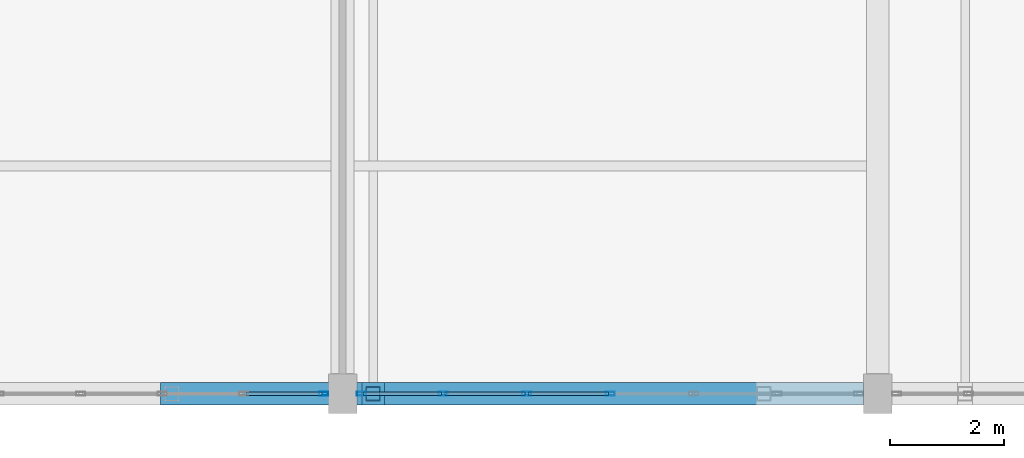
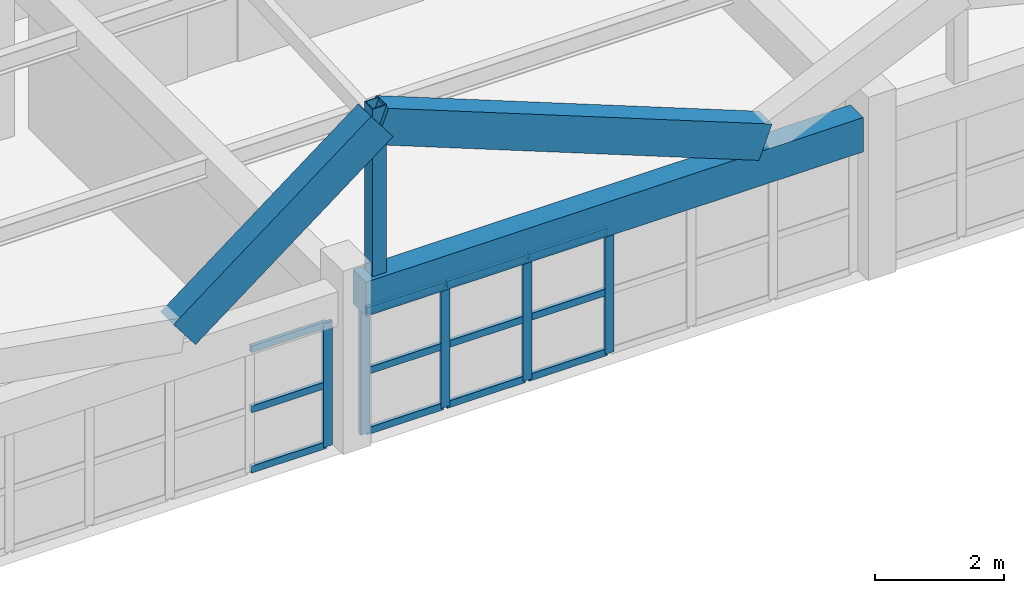
# One storey, part 20 of 127: 18 members, 3 beams, 2 elements without a shape of their own.
"""IFC4 building model written with IfcOpenShell, lengths in metres."""

from ifc_helpers import new_model, si_unit, direction, frame, origin, origin_2d, place, context, subcontext, project, spatial, rectangle, hollow_rectangle, extrude, material, material_profile, profile_set, type_object, element, aggregate, save


model = new_model("IFC4")

# Units and contexts
model_context = context("Model", 3, precision=1e-05, world=origin(), true_north=direction((0.0, 1.0)))
body_context = subcontext(model_context, "Body", "Model", "MODEL_VIEW")
ifc_project = project(units=[si_unit("LENGTHUNIT", "METRE"), si_unit("AREAUNIT", "SQUARE_METRE"), si_unit("VOLUMEUNIT", "CUBIC_METRE"), si_unit("PLANEANGLEUNIT", "RADIAN"), si_unit("MASSUNIT", "GRAM", prefix="KILO")], contexts=[model_context])

# Site, building, storey
site_placement = place(None, origin())
site = spatial("IfcSite", under=ifc_project, at=site_placement, CompositionType="ELEMENT")
building_placement = place(site_placement, origin())
building = spatial("IfcBuilding", under=site, at=building_placement, Name="Kestramere Prow Commons", CompositionType="ELEMENT")
storey_placement = place(building_placement, frame((0.0, 0.0, 8.39990234375)))
storey = spatial("IfcBuildingStorey", under=building, at=storey_placement, Name="L02", CompositionType="ELEMENT", Elevation=8.39990234375)

# Beams
ifc_material_1 = material(Name="Precast concrete C40/50", Category="concrete")
ifc_material_profile_1 = material_profile(ifc_material_1, rectangle(XDim=0.39990234375, YDim=0.64990234375, at=origin_2d()), Name="PC-BM 400x650")
ifc_profile_set_1 = profile_set([ifc_material_profile_1], Name="Precast concrete C40/50")
beam_type = type_object("IfcBeamType", Name="BM-MK-01 PC-BM 400x650 (EX)", PredefinedType="BEAM", material=ifc_profile_set_1)
beam_1_placement = place(storey_placement, frame((94.449951171875, 0.0, 2.675048828125), z_axis=(1.0, 0.0, 0.0), x_axis=(0.0, 1.0, 0.0)))
element("IfcBeam", 1, at=beam_1_placement, inside=storey, type_object=beam_type, Name="Market Spine L02 Beam X 1-5", PredefinedType="BEAM", context=body_context, shape_type="SweptSolid", body=[
    extrude(rectangle(XDim=0.39990234375, YDim=0.64990234375, at=origin_2d()), origin(), (0.0, 0.0, 1.0), 8.900146484375),
])
beam_2_placement = place(storey_placement, frame((91.199951171875, 0.0, 3.14501953125), z_axis=(0.794781288508, 0.0, 0.606895957671), x_axis=(0.0, 1.0, 0.0)))
element("IfcBeam", 2, at=beam_2_placement, inside=storey, type_object=beam_type, Name="Market Folded Rafter 4L-0", PredefinedType="BEAM", context=body_context, shape_type="SweptSolid", body=[
    extrude(rectangle(XDim=0.39990234375, YDim=0.64990234375, at=origin_2d()), origin(), (0.0, 0.0, 1.0), 4.44921875),
])
beam_3_placement = place(storey_placement, frame((94.736083984375, 0.0, 5.84521484375), z_axis=(0.93058443739, 0.0, -0.366077320915), x_axis=(0.0, 1.0, 0.0)))
element("IfcBeam", 3, at=beam_3_placement, inside=storey, type_object=beam_type, Name="Market Folded Rafter 4R-0", PredefinedType="BEAM", context=body_context, shape_type="SweptSolid", body=[
    extrude(rectangle(XDim=0.39990234375, YDim=0.64990234375, at=origin_2d()), origin(), (0.0, 0.0, 1.0), 7.3759765625),
])

# Member
ifc_material_2 = material(Name="Steel S355JR", Category="steel")
ifc_material_profile_2 = material_profile(ifc_material_2, hollow_rectangle(XDim=0.25, YDim=0.25, WallThickness=0.012451171875, at=origin_2d()), Name="SHS 250x250x12.5")
ifc_profile_set_2 = profile_set([ifc_material_profile_2], Name="Steel S355JR")
member_type_1 = type_object("IfcMemberType", Name="BRAPX-01 SHS 250x250x12.5", PredefinedType="BRACE", material=ifc_profile_set_2)
member_1_placement = place(storey_placement, frame((94.736083984375, 0.0, 2.675048828125), z_axis=(0.0, 0.0, 1.0), x_axis=(1.0, 0.0, 0.0)))
element("IfcMember", 4, at=member_1_placement, inside=storey, type_object=member_type_1, Name="Market Folded Gable Diagonal Brace 4-0", PredefinedType="BRACE", context=body_context, shape_type="SweptSolid", body=[
    extrude(hollow_rectangle(XDim=0.25, YDim=0.25, WallThickness=0.012451171875, at=origin_2d()), origin(), (0.0, 0.0, 1.0), 3.4951171875),
])

# Curtain wall, member
ifc_material_3 = material(Name="Anodised Aluminium and Low-E Glass", Category="aluminium")
curtain_wall_type_1 = type_object("IfcCurtainWallType", Name="CW-30 Glazed Curtain Wall 8600x2340", PredefinedType="USERDEFINED", material=ifc_material_3)
curtain_wall_1_placement = place(storey_placement, origin())
curtain_wall_1 = element("IfcCurtainWall", 5, at=curtain_wall_1_placement, inside=storey, type_object=curtain_wall_type_1, Name="Market L02 South Shopfront 4", ObjectType="GLAZED CURTAIN WALL", PredefinedType="USERDEFINED")
ifc_material_4 = material(Name="Anodised Aluminium 6063-T6", Category="aluminium")
ifc_material_profile_3 = material_profile(ifc_material_4, hollow_rectangle(XDim=0.06494140625, YDim=0.159912109375, WallThickness=0.00390625, at=origin_2d()), Name="ALU-MUL 65x160")
ifc_profile_set_3 = profile_set([ifc_material_profile_3], Name="Anodised Aluminium 6063-T6")
member_type_2 = type_object("IfcMemberType", Name="CW-MUL-65x160", PredefinedType="MULLION", material=ifc_profile_set_3)
member_2_placement = place(storey_placement, frame((93.867431640625, 0.0, 0.0), z_axis=(0.0, 0.0, 1.0), x_axis=(0.0, -1.0, 0.0)))
member_2 = element("IfcMember", 6, at=member_2_placement, type_object=member_type_2, Name="CW-30 mullion 1", PredefinedType="MULLION", context=body_context, shape_type="SweptSolid", body=[
    extrude(hollow_rectangle(XDim=0.06494140625, YDim=0.159912109375, WallThickness=0.00390625, at=origin_2d()), origin(), (0.0, 0.0, 1.0), 2.340087890625),
])

# Curtain wall, members
curtain_wall_type_2 = type_object("IfcCurtainWallType", Name="CW-31 Glazed Curtain Wall 8800x2340", PredefinedType="USERDEFINED", material=ifc_material_3)
curtain_wall_2_placement = place(storey_placement, origin())
curtain_wall_2 = element("IfcCurtainWall", 7, at=curtain_wall_2_placement, inside=storey, type_object=curtain_wall_type_2, Name="Market L02 South Shopfront 5", ObjectType="GLAZED CURTAIN WALL", PredefinedType="USERDEFINED")
member_3_placement = place(storey_placement, frame((98.89990234375, 0.0, 0.0), z_axis=(0.0, 0.0, 1.0), x_axis=(0.0, -1.0, 0.0)))
member_3 = element("IfcMember", 8, at=member_3_placement, type_object=member_type_2, Name="CW-31 mullion 4", PredefinedType="MULLION", context=body_context, shape_type="SweptSolid", body=[
    extrude(hollow_rectangle(XDim=0.06494140625, YDim=0.159912109375, WallThickness=0.00390625, at=origin_2d()), origin(), (0.0, 0.0, 1.0), 2.340087890625),
])
member_4_placement = place(storey_placement, frame((97.433349609375, 0.0, 0.0), z_axis=(0.0, 0.0, 1.0), x_axis=(0.0, -1.0, 0.0)))
member_4 = element("IfcMember", 9, at=member_4_placement, type_object=member_type_2, Name="CW-31 mullion 5", PredefinedType="MULLION", context=body_context, shape_type="SweptSolid", body=[
    extrude(hollow_rectangle(XDim=0.06494140625, YDim=0.159912109375, WallThickness=0.00390625, at=origin_2d()), origin(), (0.0, 0.0, 1.0), 2.340087890625),
])
member_5_placement = place(storey_placement, frame((95.966552734375, 0.0, 0.0), z_axis=(0.0, 0.0, 1.0), x_axis=(0.0, -1.0, 0.0)))
member_5 = element("IfcMember", 10, at=member_5_placement, type_object=member_type_2, Name="CW-31 mullion 6", PredefinedType="MULLION", context=body_context, shape_type="SweptSolid", body=[
    extrude(hollow_rectangle(XDim=0.06494140625, YDim=0.159912109375, WallThickness=0.00390625, at=origin_2d()), origin(), (0.0, 0.0, 1.0), 2.340087890625),
])
member_6_placement = place(storey_placement, frame((94.532470703125, 0.0, 0.0), z_axis=(0.0, 0.0, 1.0), x_axis=(0.0, -1.0, 0.0)))
member_6 = element("IfcMember", 11, at=member_6_placement, type_object=member_type_2, Name="CW-31 mullion 7", PredefinedType="MULLION", context=body_context, shape_type="SweptSolid", body=[
    extrude(hollow_rectangle(XDim=0.06494140625, YDim=0.159912109375, WallThickness=0.00390625, at=origin_2d()), origin(), (0.0, 0.0, 1.0), 2.340087890625),
])

# Member
ifc_material_profile_4 = material_profile(ifc_material_4, hollow_rectangle(XDim=0.06494140625, YDim=0.1298828125, WallThickness=0.00390625, at=origin_2d()), Name="ALU-TRN 65x130")
ifc_profile_set_4 = profile_set([ifc_material_profile_4], Name="Anodised Aluminium 6063-T6")
member_type_3 = type_object("IfcMemberType", Name="CW-TRN-65x130", PredefinedType="USERDEFINED", material=ifc_profile_set_4)
member_7_placement = place(storey_placement, frame((93.8349609375, 0.0, 0.03271484375), z_axis=(-1.0, 0.0, 0.0), x_axis=(0.0, -1.0, 0.0)))
member_7 = element("IfcMember", 12, at=member_7_placement, type_object=member_type_3, Name="CW-30 transom 1.1", ObjectType="TRANSOM", PredefinedType="USERDEFINED", context=body_context, shape_type="SweptSolid", body=[
    extrude(hollow_rectangle(XDim=0.06494140625, YDim=0.1298828125, WallThickness=0.00390625, at=origin_2d()), origin(), (0.0, 0.0, 1.0), 1.335693359375),
])

member_8_placement = place(storey_placement, frame((93.8349609375, 0.0, 1.170166015625), z_axis=(-1.0, 0.0, 0.0), x_axis=(0.0, -1.0, 0.0)))
member_8 = element("IfcMember", 13, at=member_8_placement, type_object=member_type_3, Name="CW-30 transom 1.2", ObjectType="TRANSOM", PredefinedType="USERDEFINED", context=body_context, shape_type="SweptSolid", body=[
    extrude(hollow_rectangle(XDim=0.06494140625, YDim=0.1298828125, WallThickness=0.00390625, at=origin_2d()), origin(), (0.0, 0.0, 1.0), 1.335693359375),
])

member_9_placement = place(storey_placement, frame((93.8349609375, 0.0, 2.3076171875), z_axis=(-1.0, 0.0, 0.0), x_axis=(0.0, -1.0, 0.0)))
member_9 = element("IfcMember", 14, at=member_9_placement, type_object=member_type_3, Name="CW-30 transom 1.3", ObjectType="TRANSOM", PredefinedType="USERDEFINED", context=body_context, shape_type="SweptSolid", body=[
    extrude(hollow_rectangle(XDim=0.06494140625, YDim=0.1298828125, WallThickness=0.00390625, at=origin_2d()), origin(), (0.0, 0.0, 1.0), 1.335693359375),
])

aggregate(curtain_wall_1, [member_2, member_7, member_8, member_9])

member_10_placement = place(storey_placement, frame((98.867431640625, 0.0, 0.03271484375), z_axis=(-1.0, 0.0, 0.0), x_axis=(0.0, -1.0, 0.0)))
member_10 = element("IfcMember", 15, at=member_10_placement, type_object=member_type_3, Name="CW-31 transom 4.1", ObjectType="TRANSOM", PredefinedType="USERDEFINED", context=body_context, shape_type="SweptSolid", body=[
    extrude(hollow_rectangle(XDim=0.06494140625, YDim=0.1298828125, WallThickness=0.00390625, at=origin_2d()), origin(), (0.0, 0.0, 1.0), 1.401611328125),
])

member_11_placement = place(storey_placement, frame((98.867431640625, 0.0, 1.170166015625), z_axis=(-1.0, 0.0, 0.0), x_axis=(0.0, -1.0, 0.0)))
member_11 = element("IfcMember", 16, at=member_11_placement, type_object=member_type_3, Name="CW-31 transom 4.2", ObjectType="TRANSOM", PredefinedType="USERDEFINED", context=body_context, shape_type="SweptSolid", body=[
    extrude(hollow_rectangle(XDim=0.06494140625, YDim=0.1298828125, WallThickness=0.00390625, at=origin_2d()), origin(), (0.0, 0.0, 1.0), 1.401611328125),
])

member_12_placement = place(storey_placement, frame((98.867431640625, 0.0, 2.3076171875), z_axis=(-1.0, 0.0, 0.0), x_axis=(0.0, -1.0, 0.0)))
member_12 = element("IfcMember", 17, at=member_12_placement, type_object=member_type_3, Name="CW-31 transom 4.3", ObjectType="TRANSOM", PredefinedType="USERDEFINED", context=body_context, shape_type="SweptSolid", body=[
    extrude(hollow_rectangle(XDim=0.06494140625, YDim=0.1298828125, WallThickness=0.00390625, at=origin_2d()), origin(), (0.0, 0.0, 1.0), 1.401611328125),
])

member_13_placement = place(storey_placement, frame((97.40087890625, 0.0, 0.03271484375), z_axis=(-1.0, 0.0, 0.0), x_axis=(0.0, -1.0, 0.0)))
member_13 = element("IfcMember", 18, at=member_13_placement, type_object=member_type_3, Name="CW-31 transom 5.1", ObjectType="TRANSOM", PredefinedType="USERDEFINED", context=body_context, shape_type="SweptSolid", body=[
    extrude(hollow_rectangle(XDim=0.06494140625, YDim=0.1298828125, WallThickness=0.00390625, at=origin_2d()), origin(), (0.0, 0.0, 1.0), 1.401611328125),
])

member_14_placement = place(storey_placement, frame((97.40087890625, 0.0, 1.170166015625), z_axis=(-1.0, 0.0, 0.0), x_axis=(0.0, -1.0, 0.0)))
member_14 = element("IfcMember", 19, at=member_14_placement, type_object=member_type_3, Name="CW-31 transom 5.2", ObjectType="TRANSOM", PredefinedType="USERDEFINED", context=body_context, shape_type="SweptSolid", body=[
    extrude(hollow_rectangle(XDim=0.06494140625, YDim=0.1298828125, WallThickness=0.00390625, at=origin_2d()), origin(), (0.0, 0.0, 1.0), 1.401611328125),
])

member_15_placement = place(storey_placement, frame((97.40087890625, 0.0, 2.3076171875), z_axis=(-1.0, 0.0, 0.0), x_axis=(0.0, -1.0, 0.0)))
member_15 = element("IfcMember", 20, at=member_15_placement, type_object=member_type_3, Name="CW-31 transom 5.3", ObjectType="TRANSOM", PredefinedType="USERDEFINED", context=body_context, shape_type="SweptSolid", body=[
    extrude(hollow_rectangle(XDim=0.06494140625, YDim=0.1298828125, WallThickness=0.00390625, at=origin_2d()), origin(), (0.0, 0.0, 1.0), 1.401611328125),
])

member_16_placement = place(storey_placement, frame((95.93408203125, 0.0, 0.03271484375), z_axis=(-1.0, 0.0, 0.0), x_axis=(0.0, -1.0, 0.0)))
member_16 = element("IfcMember", 21, at=member_16_placement, type_object=member_type_3, Name="CW-31 transom 6.1", ObjectType="TRANSOM", PredefinedType="USERDEFINED", context=body_context, shape_type="SweptSolid", body=[
    extrude(hollow_rectangle(XDim=0.06494140625, YDim=0.1298828125, WallThickness=0.00390625, at=origin_2d()), origin(), (0.0, 0.0, 1.0), 1.369140625),
])

member_17_placement = place(storey_placement, frame((95.93408203125, 0.0, 1.170166015625), z_axis=(-1.0, 0.0, 0.0), x_axis=(0.0, -1.0, 0.0)))
member_17 = element("IfcMember", 22, at=member_17_placement, type_object=member_type_3, Name="CW-31 transom 6.2", ObjectType="TRANSOM", PredefinedType="USERDEFINED", context=body_context, shape_type="SweptSolid", body=[
    extrude(hollow_rectangle(XDim=0.06494140625, YDim=0.1298828125, WallThickness=0.00390625, at=origin_2d()), origin(), (0.0, 0.0, 1.0), 1.369140625),
])

member_18_placement = place(storey_placement, frame((95.93408203125, 0.0, 2.3076171875), z_axis=(-1.0, 0.0, 0.0), x_axis=(0.0, -1.0, 0.0)))
member_18 = element("IfcMember", 23, at=member_18_placement, type_object=member_type_3, Name="CW-31 transom 6.3", ObjectType="TRANSOM", PredefinedType="USERDEFINED", context=body_context, shape_type="SweptSolid", body=[
    extrude(hollow_rectangle(XDim=0.06494140625, YDim=0.1298828125, WallThickness=0.00390625, at=origin_2d()), origin(), (0.0, 0.0, 1.0), 1.369140625),
])

aggregate(curtain_wall_2, [member_3, member_4, member_5, member_6, member_10, member_11, member_12, member_13, member_14, member_15, member_16, member_17, member_18])

save(model, "model.ifc")
